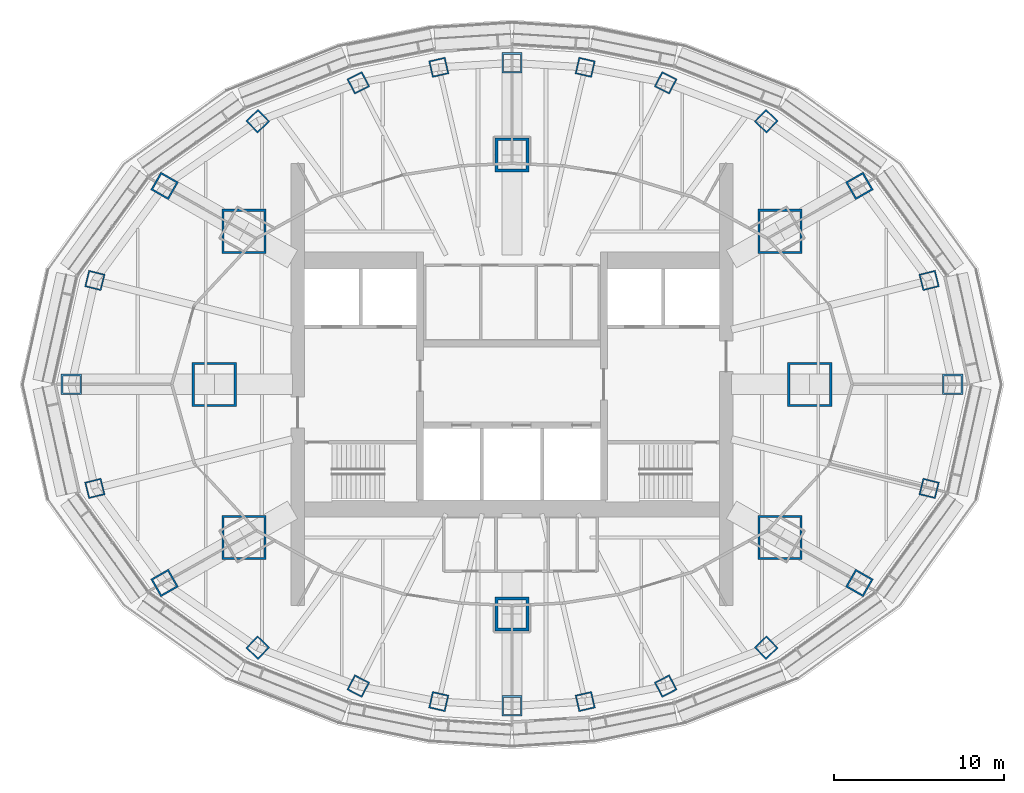
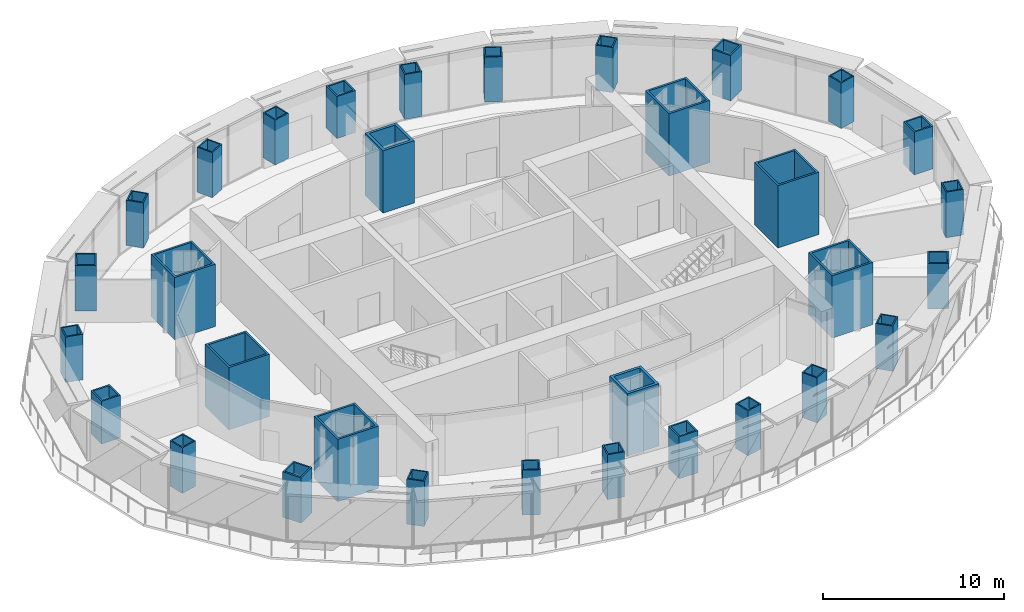
# One storey, part 1 of 17: 32 columns.
"""IFC4 building model written with IfcOpenShell, lengths in metres."""

from ifc_helpers import new_model, si_unit, direction, frame, origin, origin_2d, place, context, subcontext, project, spatial, rectangle, hollow_rectangle, extrude, material, material_profile, profile_set, type_object, element, save


model = new_model("IFC4")

# Units and contexts
model_context = context("Model", 3, precision=1e-05, world=origin(), true_north=direction((0.0, 1.0)))
body_context = subcontext(model_context, "Body", "Model", "MODEL_VIEW")
ifc_project = project(units=[si_unit("LENGTHUNIT", "METRE"), si_unit("AREAUNIT", "SQUARE_METRE"), si_unit("VOLUMEUNIT", "CUBIC_METRE"), si_unit("PLANEANGLEUNIT", "RADIAN"), si_unit("MASSUNIT", "GRAM", prefix="KILO")], contexts=[model_context])

# Site, building, storey
site_placement = place(None, origin())
site = spatial("IfcSite", under=ifc_project, at=site_placement, CompositionType="ELEMENT")
building_placement = place(site_placement, origin())
building = spatial("IfcBuilding", under=site, at=building_placement, Name="Lantaw Convention Tower", CompositionType="ELEMENT")
storey_placement = place(building_placement, frame((0.0, 0.0, 199.0)))
storey = spatial("IfcBuildingStorey", under=building, at=storey_placement, Name="L46", CompositionType="ELEMENT", Elevation=199.0)

# Columns
ifc_material_1 = material(Name="Steel EN 10025-3 S460N", Category="steel")
ifc_material_profile_1 = material_profile(ifc_material_1, hollow_rectangle(XDim=2.0, YDim=2.0, WallThickness=0.169921875, at=origin_2d()), Name="BOX2000X170")
ifc_material_2 = material(Name="Concrete C60/75", Category="concrete")
ifc_material_profile_2 = material_profile(ifc_material_2, rectangle(XDim=1.659912109375, YDim=1.659912109375, at=origin_2d()), Name="Concrete fill of BOX2000X170")
ifc_profile_set_1 = profile_set([ifc_material_profile_1, ifc_material_profile_2], Name="Steel EN 10025-3 S460N")
column_type_1 = type_object("IfcColumnType", Name="Column MC BOX2000X170", PredefinedType="COLUMN", material=ifc_profile_set_1)
for number, where, z_axis, x_axis, name in (
    (1, (0.0, 13.5, 0.0), (0.0, 0.0, 1.0), (1.0, 0.0, 0.0), "Mega column M3"),
    (2, (0.0, -13.5, 0.0), (0.0, 0.0, 1.0), (1.0, 0.0, 0.0), "Mega column M7"),
):
    element("IfcColumn", number, at=place(storey_placement, frame(where, z_axis=z_axis, x_axis=x_axis)), inside=storey, type_object=column_type_1, Name=name, PredefinedType="COLUMN", context=body_context, shape_type="SweptSolid", body=[
        extrude(hollow_rectangle(XDim=2.0, YDim=2.0, WallThickness=0.169921875, at=origin_2d()), origin(), (0.0, 0.0, 1.0), 4.199951171875),
    ])
ifc_material_profile_3 = material_profile(ifc_material_1, hollow_rectangle(XDim=2.60009765625, YDim=2.60009765625, WallThickness=0.1298828125, at=origin_2d()), Name="BOX2600X130")
ifc_material_profile_4 = material_profile(ifc_material_2, rectangle(XDim=2.340087890625, YDim=2.340087890625, at=origin_2d()), Name="Concrete fill of BOX2600X130")
ifc_profile_set_2 = profile_set([ifc_material_profile_3, ifc_material_profile_4], Name="Steel EN 10025-3 S460N")
column_type_2 = type_object("IfcColumnType", Name="Column MC BOX2600X130", PredefinedType="COLUMN", material=ifc_profile_set_2)
for number, where, z_axis, x_axis, name in (
    (3, (17.5, 0.0, 0.0), (0.0, 0.0, 1.0), (1.0, 0.0, 0.0), "Mega column M1"),
    (4, (15.75, 9.0, 0.0), (0.0, 0.0, 1.0), (1.0, 0.0, 0.0), "Mega column M2"),
    (5, (-15.75, 9.0, 0.0), (0.0, 0.0, 1.0), (1.0, 0.0, 0.0), "Mega column M4"),
    (6, (-17.5, 0.0, 0.0), (0.0, 0.0, 1.0), (1.0, 0.0, 0.0), "Mega column M5"),
    (7, (-15.75, -9.0, 0.0), (0.0, 0.0, 1.0), (1.0, 0.0, 0.0), "Mega column M6"),
    (8, (15.75, -9.0, 0.0), (0.0, 0.0, 1.0), (1.0, 0.0, 0.0), "Mega column M8"),
):
    element("IfcColumn", number, at=place(storey_placement, frame(where, z_axis=z_axis, x_axis=x_axis)), inside=storey, type_object=column_type_2, Name=name, PredefinedType="COLUMN", context=body_context, shape_type="SweptSolid", body=[
        extrude(hollow_rectangle(XDim=2.60009765625, YDim=2.60009765625, WallThickness=0.1298828125, at=origin_2d()), origin(), (0.0, 0.0, 1.0), 4.199951171875),
    ])
ifc_material_3 = material(Name="Steel ASTM A572 Grade 50", Category="steel")
ifc_material_profile_5 = material_profile(ifc_material_3, hollow_rectangle(XDim=1.0, YDim=1.0, WallThickness=0.080078125, at=origin_2d()), Name="BOX1000X80")
ifc_material_profile_6 = material_profile(ifc_material_2, rectangle(XDim=0.840087890625, YDim=0.840087890625, at=origin_2d()), Name="Concrete fill of BOX1000X80")
ifc_profile_set_3 = profile_set([ifc_material_profile_5, ifc_material_profile_6], Name="Steel ASTM A572 Grade 50")
column_type_3 = type_object("IfcColumnType", Name="Column PC BOX1000X80", PredefinedType="COLUMN", material=ifc_profile_set_3)
column_1_placement = place(storey_placement, frame((24.52197265625, 6.114013671875, 1.131103515625), z_axis=(0.0, 0.0, 1.0), x_axis=(0.970295726276, 0.2419218956, 0.0)))
element("IfcColumn", 9, at=column_1_placement, inside=storey, type_object=column_type_3, Name="Perimeter column P2", PredefinedType="COLUMN", context=body_context, shape_type="SweptSolid", body=[
    extrude(hollow_rectangle(XDim=1.0, YDim=1.0, WallThickness=0.080078125, at=origin_2d()), origin(), (0.0, 0.0, 1.0), 3.06884765625),
])
column_2_placement = place(storey_placement, frame((14.9443359375, 15.475341796875, 1.154541015625), z_axis=(0.0, 0.0, 1.0), x_axis=(0.694658370459, 0.719339800339, 0.0)))
element("IfcColumn", 10, at=column_2_placement, inside=storey, type_object=column_type_3, Name="Perimeter column P4", PredefinedType="COLUMN", context=body_context, shape_type="SweptSolid", body=[
    extrude(hollow_rectangle(XDim=1.0, YDim=1.0, WallThickness=0.080078125, at=origin_2d()), origin(), (0.0, 0.0, 1.0), 3.04541015625),
])
column_3_placement = place(storey_placement, frame((9.03466796875, 17.7314453125, 1.164794921875), z_axis=(0.0, 0.0, 1.0), x_axis=(0.45399049974, 0.891006524188, 0.0)))
element("IfcColumn", 11, at=column_3_placement, inside=storey, type_object=column_type_3, Name="Perimeter column P5", PredefinedType="COLUMN", context=body_context, shape_type="SweptSolid", body=[
    extrude(hollow_rectangle(XDim=1.0, YDim=1.0, WallThickness=0.080078125, at=origin_2d()), origin(), (0.0, 0.0, 1.0), 3.03515625),
])
for number, where, z_axis, x_axis, name in (
    (12, (4.303955078125, 18.64208984375, 1.169921875), (0.0, 0.0, 1.0), (0.224951054344, 0.974370064785, 0.0), "Perimeter column P6"),
    (13, (-4.303955078125, 18.64208984375, 1.169921875), (0.0, 0.0, 1.0), (0.974370064785, 0.224951054344, 0.0), "Perimeter column P8"),
):
    element("IfcColumn", number, at=place(storey_placement, frame(where, z_axis=z_axis, x_axis=x_axis)), inside=storey, type_object=column_type_3, Name=name, PredefinedType="COLUMN", context=body_context, shape_type="SweptSolid", body=[
        extrude(hollow_rectangle(XDim=1.0, YDim=1.0, WallThickness=0.080078125, at=origin_2d()), origin(), (0.0, 0.0, 1.0), 3.030029296875),
    ])
column_4_placement = place(storey_placement, frame((-9.03466796875, 17.7314453125, 1.164794921875), z_axis=(0.0, 0.0, 1.0), x_axis=(0.891006524188, 0.45399049974, 0.0)))
element("IfcColumn", 14, at=column_4_placement, inside=storey, type_object=column_type_3, Name="Perimeter column P9", PredefinedType="COLUMN", context=body_context, shape_type="SweptSolid", body=[
    extrude(hollow_rectangle(XDim=1.0, YDim=1.0, WallThickness=0.080078125, at=origin_2d()), origin(), (0.0, 0.0, 1.0), 3.03515625),
])
column_5_placement = place(storey_placement, frame((-14.9443359375, 15.475341796875, 1.154541015625), z_axis=(0.0, 0.0, 1.0), x_axis=(0.719339800339, 0.694658370459, 0.0)))
element("IfcColumn", 15, at=column_5_placement, inside=storey, type_object=column_type_3, Name="Perimeter column P10", PredefinedType="COLUMN", context=body_context, shape_type="SweptSolid", body=[
    extrude(hollow_rectangle(XDim=1.0, YDim=1.0, WallThickness=0.080078125, at=origin_2d()), origin(), (0.0, 0.0, 1.0), 3.04541015625),
])
for number, where, z_axis, x_axis, name in (
    (16, (-24.52197265625, 6.114013671875, 1.131103515625), (0.0, 0.0, 1.0), (0.2419218956, 0.970295726276, 0.0), "Perimeter column P12"),
    (17, (-24.52197265625, -6.114013671875, 1.131103515625), (0.0, 0.0, 1.0), (0.970295726276, 0.2419218956, 0.0), "Perimeter column P14"),
):
    element("IfcColumn", number, at=place(storey_placement, frame(where, z_axis=z_axis, x_axis=x_axis)), inside=storey, type_object=column_type_3, Name=name, PredefinedType="COLUMN", context=body_context, shape_type="SweptSolid", body=[
        extrude(hollow_rectangle(XDim=1.0, YDim=1.0, WallThickness=0.080078125, at=origin_2d()), origin(), (0.0, 0.0, 1.0), 3.06884765625),
    ])
column_6_placement = place(storey_placement, frame((-14.9443359375, -15.475341796875, 1.154541015625), z_axis=(0.0, 0.0, 1.0), x_axis=(0.694658370459, 0.719339800339, 0.0)))
element("IfcColumn", 18, at=column_6_placement, inside=storey, type_object=column_type_3, Name="Perimeter column P16", PredefinedType="COLUMN", context=body_context, shape_type="SweptSolid", body=[
    extrude(hollow_rectangle(XDim=1.0, YDim=1.0, WallThickness=0.080078125, at=origin_2d()), origin(), (0.0, 0.0, 1.0), 3.04541015625),
])
column_7_placement = place(storey_placement, frame((-9.03466796875, -17.7314453125, 1.164794921875), z_axis=(0.0, 0.0, 1.0), x_axis=(0.45399049974, 0.891006524188, 0.0)))
element("IfcColumn", 19, at=column_7_placement, inside=storey, type_object=column_type_3, Name="Perimeter column P17", PredefinedType="COLUMN", context=body_context, shape_type="SweptSolid", body=[
    extrude(hollow_rectangle(XDim=1.0, YDim=1.0, WallThickness=0.080078125, at=origin_2d()), origin(), (0.0, 0.0, 1.0), 3.03515625),
])
for number, where, z_axis, x_axis, name in (
    (20, (-4.303955078125, -18.64208984375, 1.169921875), (0.0, 0.0, 1.0), (0.224951054344, 0.974370064785, 0.0), "Perimeter column P18"),
    (21, (4.303955078125, -18.64208984375, 1.169921875), (0.0, 0.0, 1.0), (0.974370064785, 0.224951054344, 0.0), "Perimeter column P20"),
):
    element("IfcColumn", number, at=place(storey_placement, frame(where, z_axis=z_axis, x_axis=x_axis)), inside=storey, type_object=column_type_3, Name=name, PredefinedType="COLUMN", context=body_context, shape_type="SweptSolid", body=[
        extrude(hollow_rectangle(XDim=1.0, YDim=1.0, WallThickness=0.080078125, at=origin_2d()), origin(), (0.0, 0.0, 1.0), 3.030029296875),
    ])
column_8_placement = place(storey_placement, frame((9.03466796875, -17.7314453125, 1.164794921875), z_axis=(0.0, 0.0, 1.0), x_axis=(0.891006524188, 0.45399049974, 0.0)))
element("IfcColumn", 22, at=column_8_placement, inside=storey, type_object=column_type_3, Name="Perimeter column P21", PredefinedType="COLUMN", context=body_context, shape_type="SweptSolid", body=[
    extrude(hollow_rectangle(XDim=1.0, YDim=1.0, WallThickness=0.080078125, at=origin_2d()), origin(), (0.0, 0.0, 1.0), 3.03515625),
])
column_9_placement = place(storey_placement, frame((14.9443359375, -15.475341796875, 1.154541015625), z_axis=(0.0, 0.0, 1.0), x_axis=(0.719339800339, 0.694658370459, 0.0)))
element("IfcColumn", 23, at=column_9_placement, inside=storey, type_object=column_type_3, Name="Perimeter column P22", PredefinedType="COLUMN", context=body_context, shape_type="SweptSolid", body=[
    extrude(hollow_rectangle(XDim=1.0, YDim=1.0, WallThickness=0.080078125, at=origin_2d()), origin(), (0.0, 0.0, 1.0), 3.04541015625),
])
column_10_placement = place(storey_placement, frame((24.52197265625, -6.114013671875, 1.131103515625), z_axis=(0.0, 0.0, 1.0), x_axis=(0.2419218956, 0.970295726276, 0.0)))
element("IfcColumn", 24, at=column_10_placement, inside=storey, type_object=column_type_3, Name="Perimeter column P24", PredefinedType="COLUMN", context=body_context, shape_type="SweptSolid", body=[
    extrude(hollow_rectangle(XDim=1.0, YDim=1.0, WallThickness=0.080078125, at=origin_2d()), origin(), (0.0, 0.0, 1.0), 3.06884765625),
])
ifc_material_profile_7 = material_profile(ifc_material_1, hollow_rectangle(XDim=1.199951171875, YDim=1.199951171875, WallThickness=0.10009765625, at=origin_2d()), Name="BOX1200X100")
ifc_material_profile_8 = material_profile(ifc_material_2, rectangle(XDim=1.0, YDim=1.0, at=origin_2d()), Name="Concrete fill of BOX1200X100")
ifc_profile_set_4 = profile_set([ifc_material_profile_7, ifc_material_profile_8], Name="Steel EN 10025-3 S460N")
column_type_4 = type_object("IfcColumnType", Name="Column PC BOX1200X100", PredefinedType="COLUMN", material=ifc_profile_set_4)
column_11_placement = place(storey_placement, frame((25.89990234375, 0.0, 1.315673828125), z_axis=(0.0, 0.0, 1.0), x_axis=(1.0, 0.0, 0.0)))
element("IfcColumn", 25, at=column_11_placement, inside=storey, type_object=column_type_4, Name="Perimeter column P1", PredefinedType="COLUMN", context=body_context, shape_type="SweptSolid", body=[
    extrude(hollow_rectangle(XDim=1.199951171875, YDim=1.199951171875, WallThickness=0.10009765625, at=origin_2d()), origin(), (0.0, 0.0, 1.0), 2.88427734375),
])
column_12_placement = place(storey_placement, frame((20.423095703125, 11.67041015625, 1.141845703125), z_axis=(0.0, 0.0, 1.0), x_axis=(0.86824298017, 0.496139221777, 0.0)))
element("IfcColumn", 26, at=column_12_placement, inside=storey, type_object=column_type_4, Name="Perimeter column P3", PredefinedType="COLUMN", context=body_context, shape_type="SweptSolid", body=[
    extrude(hollow_rectangle(XDim=1.199951171875, YDim=1.199951171875, WallThickness=0.10009765625, at=origin_2d()), origin(), (0.0, 0.0, 1.0), 3.05810546875),
])
column_13_placement = place(storey_placement, frame((0.0, 18.89990234375, 1.3671875), z_axis=(0.0, 0.0, 1.0), x_axis=(1.0, 0.0, 0.0)))
element("IfcColumn", 27, at=column_13_placement, inside=storey, type_object=column_type_4, Name="Perimeter column P7", PredefinedType="COLUMN", context=body_context, shape_type="SweptSolid", body=[
    extrude(hollow_rectangle(XDim=1.199951171875, YDim=1.199951171875, WallThickness=0.10009765625, at=origin_2d()), origin(), (0.0, 0.0, 1.0), 2.832763671875),
])
column_14_placement = place(storey_placement, frame((-20.423095703125, 11.67041015625, 1.141845703125), z_axis=(0.0, 0.0, 1.0), x_axis=(0.496139221777, 0.86824298017, 0.0)))
element("IfcColumn", 28, at=column_14_placement, inside=storey, type_object=column_type_4, Name="Perimeter column P11", PredefinedType="COLUMN", context=body_context, shape_type="SweptSolid", body=[
    extrude(hollow_rectangle(XDim=1.199951171875, YDim=1.199951171875, WallThickness=0.10009765625, at=origin_2d()), origin(), (0.0, 0.0, 1.0), 3.05810546875),
])
column_15_placement = place(storey_placement, frame((-25.89990234375, 0.0, 1.315673828125), z_axis=(0.0, 0.0, 1.0), x_axis=(1.0, 0.0, 0.0)))
element("IfcColumn", 29, at=column_15_placement, inside=storey, type_object=column_type_4, Name="Perimeter column P13", PredefinedType="COLUMN", context=body_context, shape_type="SweptSolid", body=[
    extrude(hollow_rectangle(XDim=1.199951171875, YDim=1.199951171875, WallThickness=0.10009765625, at=origin_2d()), origin(), (0.0, 0.0, 1.0), 2.88427734375),
])
column_16_placement = place(storey_placement, frame((-20.423095703125, -11.67041015625, 1.141845703125), z_axis=(0.0, 0.0, 1.0), x_axis=(0.86824298017, 0.496139221777, 0.0)))
element("IfcColumn", 30, at=column_16_placement, inside=storey, type_object=column_type_4, Name="Perimeter column P15", PredefinedType="COLUMN", context=body_context, shape_type="SweptSolid", body=[
    extrude(hollow_rectangle(XDim=1.199951171875, YDim=1.199951171875, WallThickness=0.10009765625, at=origin_2d()), origin(), (0.0, 0.0, 1.0), 3.05810546875),
])
column_17_placement = place(storey_placement, frame((0.0, -18.89990234375, 1.3671875), z_axis=(0.0, 0.0, 1.0), x_axis=(1.0, 0.0, 0.0)))
element("IfcColumn", 31, at=column_17_placement, inside=storey, type_object=column_type_4, Name="Perimeter column P19", PredefinedType="COLUMN", context=body_context, shape_type="SweptSolid", body=[
    extrude(hollow_rectangle(XDim=1.199951171875, YDim=1.199951171875, WallThickness=0.10009765625, at=origin_2d()), origin(), (0.0, 0.0, 1.0), 2.832763671875),
])
column_18_placement = place(storey_placement, frame((20.423095703125, -11.67041015625, 1.141845703125), z_axis=(0.0, 0.0, 1.0), x_axis=(0.496139221777, 0.86824298017, 0.0)))
element("IfcColumn", 32, at=column_18_placement, inside=storey, type_object=column_type_4, Name="Perimeter column P23", PredefinedType="COLUMN", context=body_context, shape_type="SweptSolid", body=[
    extrude(hollow_rectangle(XDim=1.199951171875, YDim=1.199951171875, WallThickness=0.10009765625, at=origin_2d()), origin(), (0.0, 0.0, 1.0), 3.05810546875),
])

save(model, "model.ifc")
